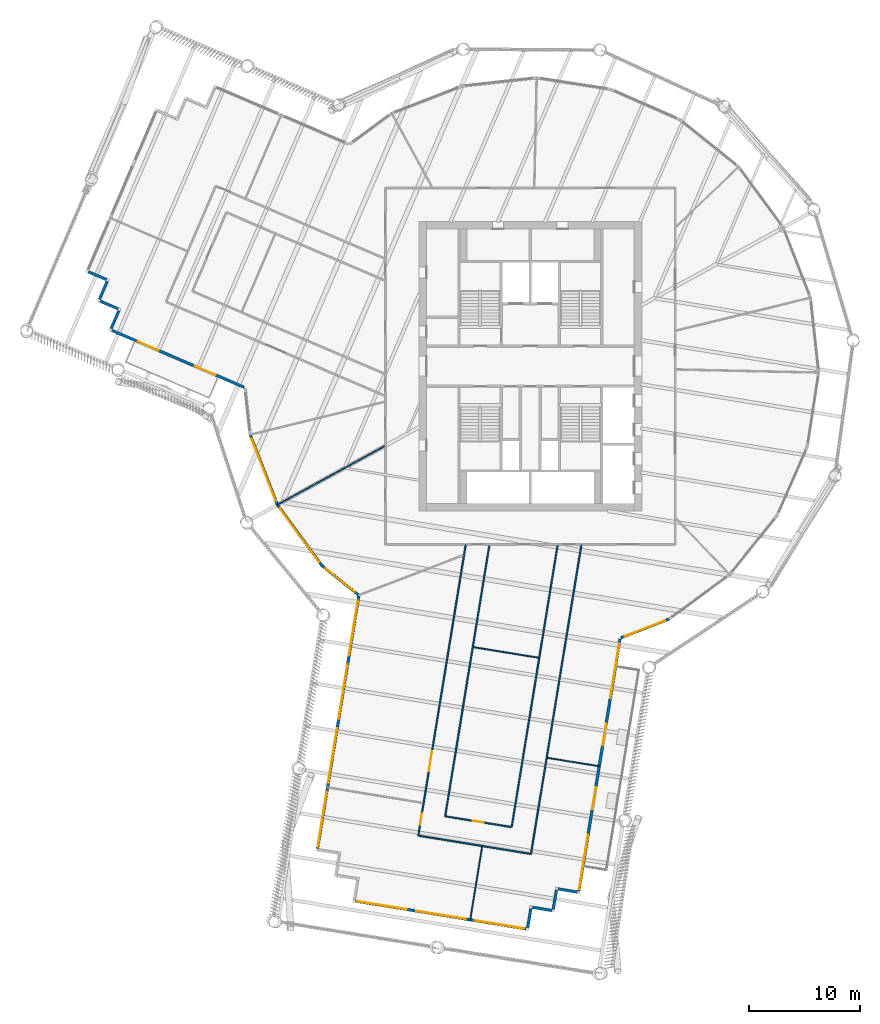
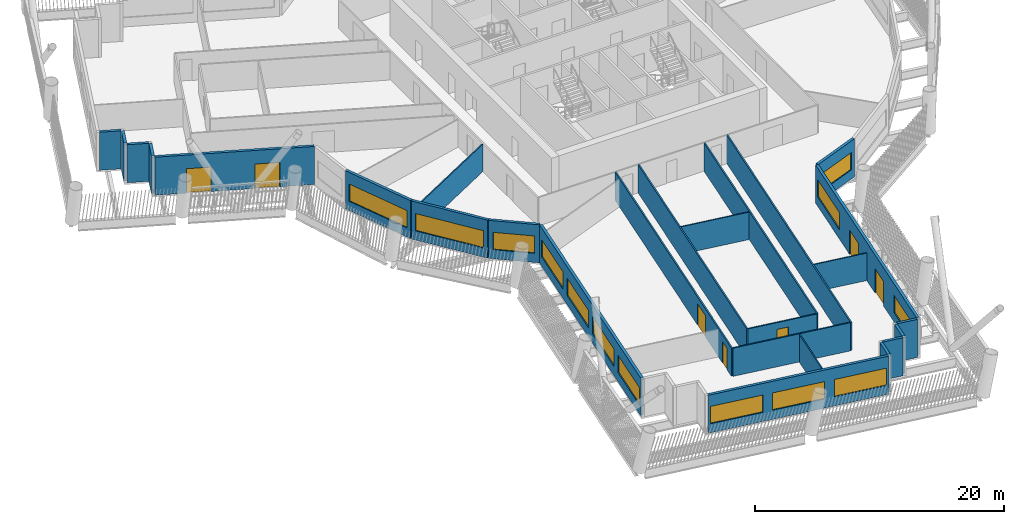
# One storey, part 3 of 22: 26 walls, 13 windows, 7 doors, 20 openings.
"""IFC4 building model written with IfcOpenShell, lengths in metres."""

import ifcopenshell
import ifcopenshell.guid

model = None  # the IFC model being written
_history = None  # IfcOwnerHistory: only IFC2X3 demands one
_inside = {}  # id of a spatial element -> (the spatial element, [elements in it])
_under = {}  # id of a project, library or spatial element -> (it, [spatial elements below it])
_declared = {}  # id of a project -> (the project, [libraries it declares])
_typed = {}  # id of a type object -> (the type object, [elements of that type])
_made_of = {}  # id of a material, layer set ... -> (it, [elements and type objects made of it])


def new_model(schema):
    """Start an empty IFC model of exactly this schema.

    Asked for "IFC4X3", IfcOpenShell would pick the latest addendum, in which some entities
    have other attributes; the version numbers below select the first issue.
    IFC2X3 requires an IfcOwnerHistory on every rooted entity: one is made here for all.
    """
    global model, _history
    if schema == "IFC4X3":
        model = ifcopenshell.file(schema_version=(4, 3, 0, 0))
    else:
        model = ifcopenshell.file(schema=schema)
    _inside.clear()
    _under.clear()
    _declared.clear()
    _typed.clear()
    _made_of.clear()
    _history = None
    if model.schema == "IFC2X3":
        org = make("IfcOrganization", Name="unknown")
        user = make(
            "IfcPersonAndOrganization",
            ThePerson=make("IfcPerson", FamilyName="unknown"),
            TheOrganization=org,
        )
        app = make(
            "IfcApplication",
            ApplicationDeveloper=org,
            Version="unknown",
            ApplicationFullName="unknown",
            ApplicationIdentifier="unknown",
        )
        _history = make(
            "IfcOwnerHistory",
            OwningUser=user,
            OwningApplication=app,
            ChangeAction="ADDED",
            CreationDate=0,
        )
    return model


def make(cls, **values):
    """One entity of the class cls with the attributes given. An attribute that is None is left unset."""
    return model.create_entity(
        cls, **{name: value for name, value in values.items() if value is not None}
    )


def rooted(cls, **values):
    """An entity with a GlobalId (a new one), such as an element, a storey or a relation."""
    return make(cls, GlobalId=ifcopenshell.guid.new(), OwnerHistory=_history, **values)


def si_unit(unit_type, name, prefix=None):
    """IfcSIUnit, for example si_unit("LENGTHUNIT", "METRE", prefix="MILLI")."""
    return make("IfcSIUnit", UnitType=unit_type, Prefix=prefix, Name=name)


def assignment(units):
    """IfcUnitAssignment: the units of a project."""
    return None if units is None else make("IfcUnitAssignment", Units=units)


def point(xyz):
    """IfcCartesianPoint."""
    return None if xyz is None else make("IfcCartesianPoint", Coordinates=xyz)


def direction(xyz):
    """IfcDirection."""
    return None if xyz is None else make("IfcDirection", DirectionRatios=xyz)


def frame(location, z_axis=None, x_axis=None):
    """IfcAxis2Placement3D, a coordinate frame: its origin and axes. An axis left out is left unset."""
    return make(
        "IfcAxis2Placement3D",
        Location=point(location),
        Axis=direction(z_axis),
        RefDirection=direction(x_axis),
    )


def frame_2d(location, x_axis=None):
    """IfcAxis2Placement2D, a coordinate frame in the plane: its origin and x axis."""
    return make(
        "IfcAxis2Placement2D", Location=point(location), RefDirection=direction(x_axis)
    )


def origin():
    """The frame at (0, 0, 0) with its axes left unset."""
    return frame((0.0, 0.0, 0.0))


def place(relative_to, where):
    """IfcLocalPlacement: puts the frame where relative to a parent placement (None: the world)."""
    return make(
        "IfcLocalPlacement", PlacementRelTo=relative_to, RelativePlacement=where
    )


def context(
    kind, dimensions, precision=None, world=None, true_north=None, identifier=None
):
    """IfcGeometricRepresentationContext, for example the 3D "Model" context."""
    return make(
        "IfcGeometricRepresentationContext",
        ContextIdentifier=identifier,
        ContextType=kind,
        CoordinateSpaceDimension=dimensions,
        Precision=precision,
        WorldCoordinateSystem=world,
        TrueNorth=true_north,
    )


def subcontext(parent, identifier, kind, view, scale=None):
    """IfcGeometricRepresentationSubContext, for example "Body" below "Model"."""
    return make(
        "IfcGeometricRepresentationSubContext",
        ContextIdentifier=identifier,
        ContextType=kind,
        ParentContext=parent,
        TargetScale=scale,
        TargetView=view,
    )


def project(units=None, contexts=None):
    """IfcProject with its units and contexts."""
    return rooted(
        "IfcProject",
        Name="project",
        RepresentationContexts=contexts,
        UnitsInContext=assignment(units),
    )


def spatial(cls, under=None, at=None, **own):
    """A site, building, storey or space (cls), placed at a placement, below another one or the project."""
    s = rooted(cls, ObjectPlacement=at, **own)
    if under is not None:
        _under.setdefault(under.id(), (under, []))[1].append(s)
    return s


def profile(cls, at=None, kind="AREA", **sizes):
    """A parametric profile (cls). Its sizes go by their IFC names, for example OverallWidth=200.0."""
    return make(cls, ProfileType=kind, Position=at, **sizes)


def rectangle(**sizes):
    """IfcRectangleProfileDef."""
    return profile("IfcRectangleProfileDef", **sizes)


def extrude(swept, where, along, depth):
    """IfcExtrudedAreaSolid: the profile swept, set in the frame where, extruded along a direction by depth."""
    return make(
        "IfcExtrudedAreaSolid",
        SweptArea=swept,
        Position=where,
        ExtrudedDirection=direction(along),
        Depth=depth,
    )


def shape(context_of_items, identifier, shape_type, items):
    """IfcShapeRepresentation: the items that make up one representation, for example the "Body"."""
    return make(
        "IfcShapeRepresentation",
        ContextOfItems=context_of_items,
        RepresentationIdentifier=identifier,
        RepresentationType=shape_type,
        Items=items,
    )


def material(Name=None, Category=None):
    """IfcMaterial."""
    return make("IfcMaterial", Name=Name, Category=Category)


def layer(
    of_material, thickness, ventilated=None, Name=None, Category=None, Priority=None
):
    """IfcMaterialLayer: one layer of a wall or slab, of a material (None: an air gap)."""
    return make(
        "IfcMaterialLayer",
        Material=of_material,
        LayerThickness=thickness,
        IsVentilated=ventilated,
        Name=Name,
        Category=Category,
        Priority=Priority,
    )


def layer_set(layers, Name=None):
    """IfcMaterialLayerSet."""
    return make("IfcMaterialLayerSet", MaterialLayers=layers, LayerSetName=Name)


def made_of(thing, what):
    """Note that an element or type object is made of a material, layer set ...; save() writes the relation."""
    if what is not None:
        _made_of.setdefault(what.id(), (what, []))[1].append(thing)
    return thing


def type_object(cls, material=None, **own):
    """A type object (cls), such as IfcWallType, which elements share."""
    return made_of(rooted(cls, **own), material)


def element(
    cls,
    number,
    at=None,
    inside=None,
    cuts=None,
    type_object=None,
    material=None,
    context=None,
    identifier="Body",
    shape_type=None,
    held_by="IfcProductDefinitionShape",
    body=None,
    shapes=None,
    **own,
):
    """One element of the class cls, such as IfcWall. Its Tag is "e" and its number.

    at: its placement. inside: the storey or other place that contains it. cuts: it is an
    opening in that element (IfcRelVoidsElement). A single representation is given by context,
    identifier, shape_type and body (its items); several are given by shapes. held_by: the class
    of the entity that holds the representations. save() writes the other relations.
    """
    e = rooted(cls, Tag="e%d" % number, ObjectPlacement=at, **own)
    if body is not None:
        shapes = [shape(context, identifier, shape_type, body)]
    if shapes is not None:
        e.Representation = make(held_by, Representations=shapes)
    if inside is not None:
        _inside.setdefault(inside.id(), (inside, []))[1].append(e)
    if cuts is not None:
        rooted(
            "IfcRelVoidsElement", RelatingBuildingElement=cuts, RelatedOpeningElement=e
        )
    if type_object is not None:
        _typed.setdefault(type_object.id(), (type_object, []))[1].append(e)
    return made_of(e, material)


def fill(opening, filler):
    """IfcRelFillsElement: the door or window that sits in an opening."""
    return rooted(
        "IfcRelFillsElement",
        RelatingOpeningElement=opening,
        RelatedBuildingElement=filler,
    )


def aggregate(whole, parts):
    """IfcRelAggregates: a whole, such as a stair, and the parts it consists of."""
    return rooted("IfcRelAggregates", RelatingObject=whole, RelatedObjects=parts)


def save(model, path):
    """Write the relations noted so far, then the file.

    IfcRelAggregates (storeys below a building ...), IfcRelContainedInSpatialStructure (elements
    in a storey), IfcRelDefinesByType, IfcRelAssociatesMaterial and IfcRelDeclares: one each for
    every whole, place, type object, material and project.
    """
    for whole, parts in _under.values():
        aggregate(whole, parts)
    for where, things in _inside.values():
        rooted(
            "IfcRelContainedInSpatialStructure",
            RelatedElements=things,
            RelatingStructure=where,
        )
    for kind, things in _typed.values():
        rooted("IfcRelDefinesByType", RelatedObjects=things, RelatingType=kind)
    for what, things in _made_of.values():
        rooted("IfcRelAssociatesMaterial", RelatedObjects=things, RelatingMaterial=what)
    for by, libraries in _declared.values():
        rooted("IfcRelDeclares", RelatingContext=by, RelatedDefinitions=libraries)
    model.write(path)


model = new_model("IFC4")

# Units and contexts
model_context = context("Model", 3, precision=1e-05, world=origin(), true_north=direction((0.0, 1.0)))
body_context = subcontext(model_context, "Body", "Model", "MODEL_VIEW")
ifc_project = project(units=[si_unit("LENGTHUNIT", "METRE"), si_unit("AREAUNIT", "SQUARE_METRE"), si_unit("VOLUMEUNIT", "CUBIC_METRE"), si_unit("PLANEANGLEUNIT", "RADIAN"), si_unit("MASSUNIT", "GRAM", prefix="KILO")], contexts=[model_context])

# Site, building, storey
site_placement = place(None, origin())
site = spatial("IfcSite", under=ifc_project, at=site_placement, CompositionType="ELEMENT")
building_placement = place(site_placement, origin())
building = spatial("IfcBuilding", under=site, at=building_placement, Name="Tarsis Ring Headquarters", CompositionType="ELEMENT")
storey_placement = place(building_placement, frame((0.0, 0.0, 186.60009765625)))
storey = spatial("IfcBuildingStorey", under=building, at=storey_placement, Name="L43", CompositionType="ELEMENT", Elevation=186.60009765625)

# Walls
ifc_material_1 = material(Name="Gypsum board on steel studs", Category="steel")
ifc_layer_1 = layer(ifc_material_1, 0.10009765625)
ifc_layer_set_1 = layer_set([ifc_layer_1], Name="FL partition 100 unrated")
wall_type_1 = type_object("IfcWallType", Name="FL partition 100 unrated", PredefinedType="PARTITIONING", material=ifc_layer_set_1)
wall_1_placement = place(storey_placement, frame((-22.751220703125, -12.476806640625, 0.0), z_axis=(0.0, 0.0, 1.0), x_axis=(0.876803077894, 0.480849625761, 0.0)))
element("IfcWall", 1, at=wall_1_placement, inside=storey, type_object=wall_type_1, Name="Partition PW3", PredefinedType="PARTITIONING", context=body_context, shape_type="SweptSolid", body=[
    extrude(rectangle(XDim=11.031494140625, YDim=0.10009765625, at=frame_2d((5.515625, 0.0))), origin(), (0.0, 0.0, 1.0), 2.699951171875),
])
wall_2_placement = place(storey_placement, frame((-5.402587890625, -49.728759765625, 0.0), z_axis=(0.0, 0.0, 1.0), x_axis=(0.160928658882, 0.986966041336, 0.0)))
element("IfcWall", 2, at=wall_2_placement, inside=storey, type_object=wall_type_1, Name="Partition PW3", PredefinedType="PARTITIONING", context=body_context, shape_type="SweptSolid", body=[
    extrude(rectangle(XDim=6.7099609375, YDim=0.10009765625, at=frame_2d((3.35498046875, 0.0))), origin(), (0.0, 0.0, 1.0), 2.699951171875),
])
wall_3_placement = place(storey_placement, frame((-5.09130859375, -25.19921875, 0.0), z_axis=(0.0, 0.0, 1.0), x_axis=(0.986973674213, -0.160881839902, 0.0)))
element("IfcWall", 3, at=wall_3_placement, inside=storey, type_object=wall_type_1, Name="Partition PW3", PredefinedType="PARTITIONING", context=body_context, shape_type="SweptSolid", body=[
    extrude(rectangle(XDim=5.900146484375, YDim=0.10009765625, at=frame_2d((2.9501953125, 0.0))), origin(), (0.0, 0.0, 1.0), 2.699951171875),
])
wall_4_placement = place(storey_placement, frame((1.537841796875, -35.125244140625, 0.0), z_axis=(0.0, 0.0, 1.0), x_axis=(0.986972964256, -0.16088619527, 0.0)))
element("IfcWall", 4, at=wall_4_placement, inside=storey, type_object=wall_type_1, Name="Partition PW3", PredefinedType="PARTITIONING", context=body_context, shape_type="SweptSolid", body=[
    extrude(rectangle(XDim=4.780029296875, YDim=0.10009765625, at=frame_2d((2.39013671875, 0.0))), origin(), (0.0, 0.0, 1.0), 2.699951171875),
])
ifc_layer_2 = layer(ifc_material_1, 0.125)
ifc_layer_set_2 = layer_set([ifc_layer_2], Name="FL partition 125 EI 60 H2770")
wall_type_2 = type_object("IfcWallType", Name="FL partition 125 EI 60 H2770", PredefinedType="PARTITIONING", material=ifc_layer_set_2)
wall_5_placement = place(storey_placement, frame((0.060791015625, -43.75, 0.0), z_axis=(0.0, 0.0, 1.0), x_axis=(0.16091717156, 0.98696791432, 0.0)))
element("IfcWall", 5, at=wall_5_placement, inside=storey, type_object=wall_type_2, Name="Partition PW1", PredefinedType="PARTITIONING", context=body_context, shape_type="SweptSolid", body=[
    extrude(rectangle(XDim=28.116455078125, YDim=0.125, at=frame_2d((14.05810546875, 0.0))), origin(), (0.0, 0.0, 1.0), 2.77001953125),
])

# Wall, openings, doors
wall_6_placement = place(storey_placement, frame((-10.0458984375, -42.10205078125, 0.0), z_axis=(0.0, 0.0, 1.0), x_axis=(0.160921965843, 0.986967132639, 0.0)))
wall_6 = element("IfcWall", 6, at=wall_6_placement, inside=storey, type_object=wall_type_2, Name="Partition PW1", PredefinedType="PARTITIONING", context=body_context, shape_type="SweptSolid", body=[
    extrude(rectangle(XDim=26.44677734375, YDim=0.125, at=frame_2d((13.223388671875, 0.0))), origin(), (0.0, 0.0, 1.0), 2.77001953125),
])
opening_1_placement = place(wall_6_placement, frame((0.9814453125, 0.0, 0.0)))
opening_1 = element("IfcOpeningElement", 7, at=opening_1_placement, cuts=wall_6, Name="Opening D43.10", PredefinedType="OPENING", context=body_context, shape_type="SweptSolid", body=[
    extrude(rectangle(XDim=1.0, YDim=2.10009765625, at=frame_2d((0.5, 1.050048828125))), frame((0.0, 0.072509765625, 0.0), z_axis=(0.0, -1.0, 0.0), x_axis=(1.0, 0.0, 0.0)), (0.0, 0.0, 1.0), 0.14501953125),
])
opening_2_placement = place(wall_6_placement, frame((5.862060546875, 0.0, 0.0)))
opening_2 = element("IfcOpeningElement", 8, at=opening_2_placement, cuts=wall_6, Name="Opening D43.11", PredefinedType="OPENING", context=body_context, shape_type="SweptSolid", body=[
    extrude(rectangle(XDim=1.800048828125, YDim=2.10009765625, at=frame_2d((0.89990234375, 1.050048828125))), frame((0.0, 0.072509765625, 0.0), z_axis=(0.0, -1.0, 0.0), x_axis=(1.0, 0.0, 0.0)), (0.0, 0.0, 1.0), 0.14501953125),
])
ifc_material_2 = material(Name="Fire-rated timber door leaf in steel frame", Category="steel")
door_type_1 = type_object("IfcDoorType", Name="FL door FD60-1000", OperationType="NOTDEFINED", PredefinedType="DOOR", material=ifc_material_2)
door_1_placement = place(opening_1_placement, origin())
door_1 = element("IfcDoor", 9, at=door_1_placement, inside=storey, type_object=door_type_1, Name="Door D43.10", OperationType="SINGLE_SWING_LEFT", OverallHeight=2.10009765625, OverallWidth=1.0, PredefinedType="DOOR", context=body_context, shape_type="SweptSolid", body=[
    extrude(rectangle(XDim=1.0, YDim=2.10009765625, at=frame_2d((0.5, 1.050048828125))), frame((0.0, 0.02490234375, 0.0), z_axis=(0.0, -1.0, 0.0), x_axis=(1.0, 0.0, 0.0)), (0.0, 0.0, 1.0), 0.050048828125),
])
fill(opening_1, door_1)
door_type_2 = type_object("IfcDoorType", Name="FL door FD60-1800", OperationType="DOUBLE_DOOR_SINGLE_SWING", PredefinedType="DOOR", material=ifc_material_2)
door_2_placement = place(opening_2_placement, origin())
door_2 = element("IfcDoor", 10, at=door_2_placement, inside=storey, type_object=door_type_2, Name="Door D43.11", OperationType="DOUBLE_DOOR_SINGLE_SWING", OverallHeight=2.10009765625, OverallWidth=1.800048828125, PredefinedType="DOOR", context=body_context, shape_type="SweptSolid", body=[
    extrude(rectangle(XDim=1.800048828125, YDim=2.10009765625, at=frame_2d((0.89990234375, 1.050048828125))), frame((0.0, 0.02490234375, 0.0), z_axis=(0.0, -1.0, 0.0), x_axis=(1.0, 0.0, 0.0)), (0.0, 0.0, 1.0), 0.050048828125),
])
fill(opening_2, door_2)

# Walls
wall_7_placement = place(storey_placement, frame((-1.673828125, -41.33935546875, 0.0), z_axis=(0.0, 0.0, 1.0), x_axis=(0.160908041704, 0.986969402826, 0.0)))
element("IfcWall", 11, at=wall_7_placement, inside=storey, type_object=wall_type_2, Name="Partition PW1", PredefinedType="PARTITIONING", context=body_context, shape_type="SweptSolid", body=[
    extrude(rectangle(XDim=25.60400390625, YDim=0.125, at=frame_2d((12.802001953125, 0.0))), origin(), (0.0, 0.0, 1.0), 2.77001953125),
])
wall_8_placement = place(storey_placement, frame((-7.63525390625, -40.367431640625, 0.0), z_axis=(0.0, 0.0, 1.0), x_axis=(0.160918012585, 0.986967777197, 0.0)))
element("IfcWall", 12, at=wall_8_placement, inside=storey, type_object=wall_type_2, Name="Partition PW1", PredefinedType="PARTITIONING", context=body_context, shape_type="SweptSolid", body=[
    extrude(rectangle(XDim=24.619140625, YDim=0.125, at=frame_2d((12.3095703125, 0.0))), origin(), (0.0, 0.0, 1.0), 2.77001953125),
])
wall_9_placement = place(storey_placement, frame((-9.986572265625, -42.11181640625, 0.0), z_axis=(0.0, 0.0, 1.0), x_axis=(0.986969340273, -0.160908425392, 0.0)))
element("IfcWall", 13, at=wall_9_placement, inside=storey, type_object=wall_type_2, Name="Partition PW1", PredefinedType="PARTITIONING", context=body_context, shape_type="SweptSolid", body=[
    extrude(rectangle(XDim=10.1201171875, YDim=0.125, at=frame_2d((5.06005859375, 0.0))), origin(), (0.0, 0.0, 1.0), 2.77001953125),
])

# Wall, opening, door
wall_10_placement = place(storey_placement, frame((-7.575927734375, -40.377197265625, 0.0), z_axis=(0.0, 0.0, 1.0), x_axis=(0.986973938874, -0.160880216261, 0.0)))
wall_10 = element("IfcWall", 14, at=wall_10_placement, inside=storey, type_object=wall_type_2, Name="Partition PW1", PredefinedType="PARTITIONING", context=body_context, shape_type="SweptSolid", body=[
    extrude(rectangle(XDim=5.919921875, YDim=0.125, at=frame_2d((2.9599609375, 0.0))), origin(), (0.0, 0.0, 1.0), 2.77001953125),
])
opening_3_placement = place(wall_10_placement, frame((2.4599609375, 0.0, 0.0)))
opening_3 = element("IfcOpeningElement", 15, at=opening_3_placement, cuts=wall_10, Name="Opening D43.17", PredefinedType="OPENING", context=body_context, shape_type="SweptSolid", body=[
    extrude(rectangle(XDim=1.0, YDim=2.10009765625, at=frame_2d((0.5, 1.050048828125))), frame((0.0, 0.072509765625, 0.0), z_axis=(0.0, -1.0, 0.0), x_axis=(1.0, 0.0, 0.0)), (0.0, 0.0, 1.0), 0.14501953125),
])
door_3_placement = place(opening_3_placement, origin())
door_3 = element("IfcDoor", 16, at=door_3_placement, inside=storey, type_object=door_type_1, Name="Door D43.17", OperationType="SINGLE_SWING_RIGHT", OverallHeight=2.10009765625, OverallWidth=1.0, PredefinedType="DOOR", context=body_context, shape_type="SweptSolid", body=[
    extrude(rectangle(XDim=1.0, YDim=2.10009765625, at=frame_2d((0.5, 1.050048828125))), frame((0.0, 0.02490234375, 0.0), z_axis=(0.0, -1.0, 0.0), x_axis=(1.0, 0.0, 0.0)), (0.0, 0.0, 1.0), 0.050048828125),
])
fill(opening_3, door_3)

# Wall, openings, doors
ifc_material_3 = material(Name="Terracotta clad insulated panel wall", Category="masonry")
ifc_layer_3 = layer(ifc_material_3, 0.25)
ifc_layer_set_3 = layer_set([ifc_layer_3], Name="Facade wall terracotta panel 250")
wall_type_3 = type_object("IfcWallType", Name="Facade wall terracotta panel 250", PredefinedType="STANDARD", material=ifc_layer_set_3)
wall_11_placement = place(storey_placement, frame((-37.53369140625, 3.2080078125, 0.0), z_axis=(0.0, 0.0, 1.0), x_axis=(0.918718409906, -0.394913260475, 0.0)))
wall_11 = element("IfcWall", 17, at=wall_11_placement, inside=storey, type_object=wall_type_3, Name="External wall L43-01", PredefinedType="STANDARD", context=body_context, shape_type="SweptSolid", body=[
    extrude(rectangle(XDim=12.921875, YDim=0.25, at=frame_2d((6.4609375, 0.0))), origin(), (0.0, 0.0, 1.0), 3.739990234375),
])
opening_4_placement = place(wall_11_placement, frame((2.550048828125, 0.0, 0.0)))
opening_4 = element("IfcOpeningElement", 18, at=opening_4_placement, cuts=wall_11, Name="Opening L43-BD01", PredefinedType="OPENING", context=body_context, shape_type="SweptSolid", body=[
    extrude(rectangle(XDim=2.0, YDim=2.39990234375, at=frame_2d((1.0, 1.199951171875))), frame((0.0, 0.135009765625, 0.0), z_axis=(0.0, -1.0, 0.0), x_axis=(1.0, 0.0, 0.0)), (0.0, 0.0, 1.0), 0.27001953125),
])
opening_5_placement = place(wall_11_placement, frame((8.1220703125, 0.0, 0.0)))
opening_5 = element("IfcOpeningElement", 19, at=opening_5_placement, cuts=wall_11, Name="Opening L43-BD02", PredefinedType="OPENING", context=body_context, shape_type="SweptSolid", body=[
    extrude(rectangle(XDim=2.0, YDim=2.39990234375, at=frame_2d((1.0, 1.199951171875))), frame((0.0, 0.135009765625, 0.0), z_axis=(0.0, -1.0, 0.0), x_axis=(1.0, 0.0, 0.0)), (0.0, 0.0, 1.0), 0.27001953125),
])
ifc_material_4 = material(Name="Aluminium framed double glazing", Category="aluminium")
door_type_3 = type_object("IfcDoorType", Name="Balcony sliding door 2000 x 2400", OperationType="SLIDING_TO_LEFT", PredefinedType="DOOR", material=ifc_material_4)
door_4_placement = place(opening_4_placement, origin())
door_4 = element("IfcDoor", 20, at=door_4_placement, inside=storey, type_object=door_type_3, Name="Door L43-BD01", OperationType="SINGLE_SWING_LEFT", OverallHeight=2.39990234375, OverallWidth=2.0, PredefinedType="DOOR", context=body_context, shape_type="SweptSolid", body=[
    extrude(rectangle(XDim=2.0, YDim=2.39990234375, at=frame_2d((1.0, 1.199951171875))), frame((0.0, 0.02490234375, 0.0), z_axis=(0.0, -1.0, 0.0), x_axis=(1.0, 0.0, 0.0)), (0.0, 0.0, 1.0), 0.050048828125),
])
fill(opening_4, door_4)
door_5_placement = place(opening_5_placement, origin())
door_5 = element("IfcDoor", 21, at=door_5_placement, inside=storey, type_object=door_type_3, Name="Door L43-BD02", OperationType="SINGLE_SWING_LEFT", OverallHeight=2.39990234375, OverallWidth=2.0, PredefinedType="DOOR", context=body_context, shape_type="SweptSolid", body=[
    extrude(rectangle(XDim=2.0, YDim=2.39990234375, at=frame_2d((1.0, 1.199951171875))), frame((0.0, 0.02490234375, 0.0), z_axis=(0.0, -1.0, 0.0), x_axis=(1.0, 0.0, 0.0)), (0.0, 0.0, 1.0), 0.050048828125),
])
fill(opening_5, door_5)

# Wall, opening, window
wall_12_placement = place(storey_placement, frame((-25.12744140625, -6.160888671875, 0.0), z_axis=(0.0, 0.0, 1.0), x_axis=(0.362279737074, -0.932069413781, 0.0)))
wall_12 = element("IfcWall", 22, at=wall_12_placement, inside=storey, type_object=wall_type_3, Name="External wall L43-03", PredefinedType="STANDARD", context=body_context, shape_type="SweptSolid", body=[
    extrude(rectangle(XDim=6.721435546875, YDim=0.25, at=frame_2d((3.36083984375, 0.0))), origin(), (0.0, 0.0, 1.0), 3.739990234375),
])
opening_6_placement = place(wall_12_placement, frame((0.3857421875, 0.0, 0.89990234375)))
opening_6 = element("IfcOpeningElement", 23, at=opening_6_placement, cuts=wall_12, Name="Opening WN07", PredefinedType="OPENING", context=body_context, shape_type="SweptSolid", body=[
    extrude(rectangle(XDim=5.949951171875, YDim=1.699951171875, at=frame_2d((2.97509765625, 0.85009765625))), frame((0.0, 0.135009765625, 0.0), z_axis=(0.0, -1.0, 0.0), x_axis=(1.0, 0.0, 0.0)), (0.0, 0.0, 1.0), 0.27001953125),
])
window_type_1 = type_object("IfcWindowType", Name="Facade window 5950 x 1700", PartitioningType="SINGLE_PANEL", PredefinedType="WINDOW", material=ifc_material_4)
window_1_placement = place(opening_6_placement, origin())
window_1 = element("IfcWindow", 24, at=window_1_placement, inside=storey, type_object=window_type_1, Name="Window L43-03.1", OverallHeight=1.699951171875, OverallWidth=5.949951171875, PartitioningType="SINGLE_PANEL", PredefinedType="WINDOW", context=body_context, shape_type="SweptSolid", body=[
    extrude(rectangle(XDim=5.949951171875, YDim=1.699951171875, at=frame_2d((2.97509765625, 0.85009765625))), frame((0.0, 0.030029296875, 0.0), z_axis=(0.0, -1.0, 0.0), x_axis=(1.0, 0.0, 0.0)), (0.0, 0.0, 1.0), 0.06005859375),
])
fill(opening_6, window_1)

wall_13_placement = place(storey_placement, frame((-22.6767578125, -12.454345703125, 0.0), z_axis=(0.0, 0.0, 1.0), x_axis=(0.591165243331, -0.806550466541, 0.0)))
wall_13 = element("IfcWall", 25, at=wall_13_placement, inside=storey, type_object=wall_type_3, Name="External wall L43-04", PredefinedType="STANDARD", context=body_context, shape_type="SweptSolid", body=[
    extrude(rectangle(XDim=6.7216796875, YDim=0.25, at=frame_2d((3.36083984375, 0.0))), origin(), (0.0, 0.0, 1.0), 3.739990234375),
])
opening_7_placement = place(wall_13_placement, frame((0.3857421875, 0.0, 0.89990234375)))
opening_7 = element("IfcOpeningElement", 26, at=opening_7_placement, cuts=wall_13, Name="Opening WN07", PredefinedType="OPENING", context=body_context, shape_type="SweptSolid", body=[
    extrude(rectangle(XDim=5.949951171875, YDim=1.699951171875, at=frame_2d((2.97509765625, 0.85009765625))), frame((0.0, 0.135009765625, 0.0), z_axis=(0.0, -1.0, 0.0), x_axis=(1.0, 0.0, 0.0)), (0.0, 0.0, 1.0), 0.27001953125),
])
window_2_placement = place(opening_7_placement, origin())
window_2 = element("IfcWindow", 27, at=window_2_placement, inside=storey, type_object=window_type_1, Name="Window L43-04.1", OverallHeight=1.699951171875, OverallWidth=5.949951171875, PartitioningType="SINGLE_PANEL", PredefinedType="WINDOW", context=body_context, shape_type="SweptSolid", body=[
    extrude(rectangle(XDim=5.949951171875, YDim=1.699951171875, at=frame_2d((2.97509765625, 0.85009765625))), frame((0.0, 0.030029296875, 0.0), z_axis=(0.0, -1.0, 0.0), x_axis=(1.0, 0.0, 0.0)), (0.0, 0.0, 1.0), 0.06005859375),
])
fill(opening_7, window_2)

wall_14_placement = place(storey_placement, frame((-18.6806640625, -17.899169921875, 0.0), z_axis=(0.0, 0.0, 1.0), x_axis=(0.779784838643, -0.626047606354, 0.0)))
wall_14 = element("IfcWall", 28, at=wall_14_placement, inside=storey, type_object=wall_type_3, Name="External wall L43-05", PredefinedType="STANDARD", context=body_context, shape_type="SweptSolid", body=[
    extrude(rectangle(XDim=4.157470703125, YDim=0.25, at=frame_2d((2.07861328125, 0.0))), origin(), (0.0, 0.0, 1.0), 3.739990234375),
])
opening_8_placement = place(wall_14_placement, frame((0.38720703125, 0.0, 0.89990234375)))
opening_8 = element("IfcOpeningElement", 29, at=opening_8_placement, cuts=wall_14, Name="Opening WN01", PredefinedType="OPENING", context=body_context, shape_type="SweptSolid", body=[
    extrude(rectangle(XDim=3.35009765625, YDim=1.699951171875, at=frame_2d((1.675048828125, 0.85009765625))), frame((0.0, 0.135009765625, 0.0), z_axis=(0.0, -1.0, 0.0), x_axis=(1.0, 0.0, 0.0)), (0.0, 0.0, 1.0), 0.27001953125),
])
window_type_2 = type_object("IfcWindowType", Name="Facade window 3350 x 1700", PartitioningType="SINGLE_PANEL", PredefinedType="WINDOW", material=ifc_material_4)
window_3_placement = place(opening_8_placement, origin())
window_3 = element("IfcWindow", 30, at=window_3_placement, inside=storey, type_object=window_type_2, Name="Window L43-05.1", OverallHeight=1.699951171875, OverallWidth=3.35009765625, PartitioningType="SINGLE_PANEL", PredefinedType="WINDOW", context=body_context, shape_type="SweptSolid", body=[
    extrude(rectangle(XDim=3.35009765625, YDim=1.699951171875, at=frame_2d((1.675048828125, 0.85009765625))), frame((0.0, 0.030029296875, 0.0), z_axis=(0.0, -1.0, 0.0), x_axis=(1.0, 0.0, 0.0)), (0.0, 0.0, 1.0), 0.06005859375),
])
fill(opening_8, window_3)

# Wall, openings, windows
wall_15_placement = place(storey_placement, frame((-15.3935546875, -20.61962890625, 0.0), z_axis=(0.0, 0.0, 1.0), x_axis=(-0.160914244426, -0.986968391561, 0.0)))
wall_15 = element("IfcWall", 31, at=wall_15_placement, inside=storey, type_object=wall_type_3, Name="External wall L43-06", PredefinedType="STANDARD", context=body_context, shape_type="SweptSolid", body=[
    extrude(rectangle(XDim=22.922119140625, YDim=0.25, at=frame_2d((11.4609375, 0.0))), origin(), (0.0, 0.0, 1.0), 3.739990234375),
])
opening_9_placement = place(wall_15_placement, frame((0.42138671875, 0.0, 0.89990234375)))
opening_9 = element("IfcOpeningElement", 32, at=opening_9_placement, cuts=wall_15, Name="Opening WN05", PredefinedType="OPENING", context=body_context, shape_type="SweptSolid", body=[
    extrude(rectangle(XDim=4.949951171875, YDim=1.699951171875, at=frame_2d((2.47509765625, 0.85009765625))), frame((0.0, 0.135009765625, 0.0), z_axis=(0.0, -1.0, 0.0), x_axis=(1.0, 0.0, 0.0)), (0.0, 0.0, 1.0), 0.27001953125),
])
opening_10_placement = place(wall_15_placement, frame((6.214599609375, 0.0, 0.89990234375)))
opening_10 = element("IfcOpeningElement", 33, at=opening_10_placement, cuts=wall_15, Name="Opening WN05", PredefinedType="OPENING", context=body_context, shape_type="SweptSolid", body=[
    extrude(rectangle(XDim=4.949951171875, YDim=1.699951171875, at=frame_2d((2.47509765625, 0.85009765625))), frame((0.0, 0.135009765625, 0.0), z_axis=(0.0, -1.0, 0.0), x_axis=(1.0, 0.0, 0.0)), (0.0, 0.0, 1.0), 0.27001953125),
])
opening_11_placement = place(wall_15_placement, frame((12.007568359375, 0.0, 0.89990234375)))
opening_11 = element("IfcOpeningElement", 34, at=opening_11_placement, cuts=wall_15, Name="Opening WN05", PredefinedType="OPENING", context=body_context, shape_type="SweptSolid", body=[
    extrude(rectangle(XDim=4.949951171875, YDim=1.699951171875, at=frame_2d((2.47509765625, 0.85009765625))), frame((0.0, 0.135009765625, 0.0), z_axis=(0.0, -1.0, 0.0), x_axis=(1.0, 0.0, 0.0)), (0.0, 0.0, 1.0), 0.27001953125),
])
opening_12_placement = place(wall_15_placement, frame((17.800537109375, 0.0, 0.89990234375)))
opening_12 = element("IfcOpeningElement", 35, at=opening_12_placement, cuts=wall_15, Name="Opening WN05", PredefinedType="OPENING", context=body_context, shape_type="SweptSolid", body=[
    extrude(rectangle(XDim=4.949951171875, YDim=1.699951171875, at=frame_2d((2.47509765625, 0.85009765625))), frame((0.0, 0.135009765625, 0.0), z_axis=(0.0, -1.0, 0.0), x_axis=(1.0, 0.0, 0.0)), (0.0, 0.0, 1.0), 0.27001953125),
])
window_type_3 = type_object("IfcWindowType", Name="Facade window 4950 x 1700", PartitioningType="SINGLE_PANEL", PredefinedType="WINDOW", material=ifc_material_4)
window_4_placement = place(opening_9_placement, origin())
window_4 = element("IfcWindow", 36, at=window_4_placement, inside=storey, type_object=window_type_3, Name="Window L43-06.1", OverallHeight=1.699951171875, OverallWidth=4.949951171875, PartitioningType="SINGLE_PANEL", PredefinedType="WINDOW", context=body_context, shape_type="SweptSolid", body=[
    extrude(rectangle(XDim=4.949951171875, YDim=1.699951171875, at=frame_2d((2.47509765625, 0.85009765625))), frame((0.0, 0.030029296875, 0.0), z_axis=(0.0, -1.0, 0.0), x_axis=(1.0, 0.0, 0.0)), (0.0, 0.0, 1.0), 0.06005859375),
])
fill(opening_9, window_4)
window_5_placement = place(opening_10_placement, origin())
window_5 = element("IfcWindow", 37, at=window_5_placement, inside=storey, type_object=window_type_3, Name="Window L43-06.2", OverallHeight=1.699951171875, OverallWidth=4.949951171875, PartitioningType="SINGLE_PANEL", PredefinedType="WINDOW", context=body_context, shape_type="SweptSolid", body=[
    extrude(rectangle(XDim=4.949951171875, YDim=1.699951171875, at=frame_2d((2.47509765625, 0.85009765625))), frame((0.0, 0.030029296875, 0.0), z_axis=(0.0, -1.0, 0.0), x_axis=(1.0, 0.0, 0.0)), (0.0, 0.0, 1.0), 0.06005859375),
])
fill(opening_10, window_5)
window_6_placement = place(opening_11_placement, origin())
window_6 = element("IfcWindow", 38, at=window_6_placement, inside=storey, type_object=window_type_3, Name="Window L43-06.3", OverallHeight=1.699951171875, OverallWidth=4.949951171875, PartitioningType="SINGLE_PANEL", PredefinedType="WINDOW", context=body_context, shape_type="SweptSolid", body=[
    extrude(rectangle(XDim=4.949951171875, YDim=1.699951171875, at=frame_2d((2.47509765625, 0.85009765625))), frame((0.0, 0.030029296875, 0.0), z_axis=(0.0, -1.0, 0.0), x_axis=(1.0, 0.0, 0.0)), (0.0, 0.0, 1.0), 0.06005859375),
])
fill(opening_11, window_6)
window_7_placement = place(opening_12_placement, origin())
window_7 = element("IfcWindow", 39, at=window_7_placement, inside=storey, type_object=window_type_3, Name="Window L43-06.4", OverallHeight=1.699951171875, OverallWidth=4.949951171875, PartitioningType="SINGLE_PANEL", PredefinedType="WINDOW", context=body_context, shape_type="SweptSolid", body=[
    extrude(rectangle(XDim=4.949951171875, YDim=1.699951171875, at=frame_2d((2.47509765625, 0.85009765625))), frame((0.0, 0.030029296875, 0.0), z_axis=(0.0, -1.0, 0.0), x_axis=(1.0, 0.0, 0.0)), (0.0, 0.0, 1.0), 0.06005859375),
])
fill(opening_12, window_7)

wall_16_placement = place(storey_placement, frame((-15.674560546875, -47.97802734375, 0.0), z_axis=(0.0, 0.0, 1.0), x_axis=(0.986968435834, -0.160913972877, 0.0)))
wall_16 = element("IfcWall", 40, at=wall_16_placement, inside=storey, type_object=wall_type_3, Name="External wall L43-11", PredefinedType="STANDARD", context=body_context, shape_type="SweptSolid", body=[
    extrude(rectangle(XDim=15.499755859375, YDim=0.25, at=frame_2d((7.75, 0.0))), origin(), (0.0, 0.0, 1.0), 3.739990234375),
])
opening_13_placement = place(wall_16_placement, frame((0.166748046875, 0.0, 0.89990234375)))
opening_13 = element("IfcOpeningElement", 41, at=opening_13_placement, cuts=wall_16, Name="Opening WN04", PredefinedType="OPENING", context=body_context, shape_type="SweptSolid", body=[
    extrude(rectangle(XDim=4.5, YDim=1.699951171875, at=frame_2d((2.25, 0.85009765625))), frame((0.0, 0.135009765625, 0.0), z_axis=(0.0, -1.0, 0.0), x_axis=(1.0, 0.0, 0.0)), (0.0, 0.0, 1.0), 0.27001953125),
])
opening_14_placement = place(wall_16_placement, frame((5.5, 0.0, 0.89990234375)))
opening_14 = element("IfcOpeningElement", 42, at=opening_14_placement, cuts=wall_16, Name="Opening WN04", PredefinedType="OPENING", context=body_context, shape_type="SweptSolid", body=[
    extrude(rectangle(XDim=4.5, YDim=1.699951171875, at=frame_2d((2.25, 0.85009765625))), frame((0.0, 0.135009765625, 0.0), z_axis=(0.0, -1.0, 0.0), x_axis=(1.0, 0.0, 0.0)), (0.0, 0.0, 1.0), 0.27001953125),
])
opening_15_placement = place(wall_16_placement, frame((10.833251953125, 0.0, 0.89990234375)))
opening_15 = element("IfcOpeningElement", 43, at=opening_15_placement, cuts=wall_16, Name="Opening WN04", PredefinedType="OPENING", context=body_context, shape_type="SweptSolid", body=[
    extrude(rectangle(XDim=4.5, YDim=1.699951171875, at=frame_2d((2.25, 0.85009765625))), frame((0.0, 0.135009765625, 0.0), z_axis=(0.0, -1.0, 0.0), x_axis=(1.0, 0.0, 0.0)), (0.0, 0.0, 1.0), 0.27001953125),
])
window_type_4 = type_object("IfcWindowType", Name="Facade window 4500 x 1700", PartitioningType="SINGLE_PANEL", PredefinedType="WINDOW", material=ifc_material_4)
window_8_placement = place(opening_13_placement, origin())
window_8 = element("IfcWindow", 44, at=window_8_placement, inside=storey, type_object=window_type_4, Name="Window L43-11.1", OverallHeight=1.699951171875, OverallWidth=4.5, PartitioningType="SINGLE_PANEL", PredefinedType="WINDOW", context=body_context, shape_type="SweptSolid", body=[
    extrude(rectangle(XDim=4.5, YDim=1.699951171875, at=frame_2d((2.25, 0.85009765625))), frame((0.0, 0.030029296875, 0.0), z_axis=(0.0, -1.0, 0.0), x_axis=(1.0, 0.0, 0.0)), (0.0, 0.0, 1.0), 0.06005859375),
])
fill(opening_13, window_8)
window_9_placement = place(opening_14_placement, origin())
window_9 = element("IfcWindow", 45, at=window_9_placement, inside=storey, type_object=window_type_4, Name="Window L43-11.2", OverallHeight=1.699951171875, OverallWidth=4.5, PartitioningType="SINGLE_PANEL", PredefinedType="WINDOW", context=body_context, shape_type="SweptSolid", body=[
    extrude(rectangle(XDim=4.5, YDim=1.699951171875, at=frame_2d((2.25, 0.85009765625))), frame((0.0, 0.030029296875, 0.0), z_axis=(0.0, -1.0, 0.0), x_axis=(1.0, 0.0, 0.0)), (0.0, 0.0, 1.0), 0.06005859375),
])
fill(opening_14, window_9)
window_10_placement = place(opening_15_placement, origin())
window_10 = element("IfcWindow", 46, at=window_10_placement, inside=storey, type_object=window_type_4, Name="Window L43-11.3", OverallHeight=1.699951171875, OverallWidth=4.5, PartitioningType="SINGLE_PANEL", PredefinedType="WINDOW", context=body_context, shape_type="SweptSolid", body=[
    extrude(rectangle(XDim=4.5, YDim=1.699951171875, at=frame_2d((2.25, 0.85009765625))), frame((0.0, 0.030029296875, 0.0), z_axis=(0.0, -1.0, 0.0), x_axis=(1.0, 0.0, 0.0)), (0.0, 0.0, 1.0), 0.06005859375),
])
fill(opening_15, window_10)

# Walls
for number, where, z_axis, x_axis, name in (
    (47, (-0.233154296875, -50.368896484375, 0.0), (0.0, 0.0, 1.0), (0.160982154629, 0.986957317158, 0.0), "External wall L43-12"),
    (48, (0.19189453125, -48.538330078125, 0.0), (0.0, 0.0, 1.0), (0.986957317158, -0.160982154629, 0.0), "External wall L43-13"),
    (49, (2.062744140625, -48.716796875, 0.0), (0.0, 0.0, 1.0), (0.160846265944, 0.986979472295, 0.0), "External wall L43-14"),
    (50, (2.48779296875, -46.88623046875, 0.0), (0.0, 0.0, 1.0), (0.986953701252, -0.161004321635, 0.0), "External wall L43-15"),
):
    element("IfcWall", number, at=place(storey_placement, frame(where, z_axis=z_axis, x_axis=x_axis)), inside=storey, type_object=wall_type_3, Name=name, PredefinedType="STANDARD", context=body_context, shape_type="SweptSolid", body=[
        extrude(rectangle(XDim=1.75, YDim=0.25, at=frame_2d((0.875, 0.0))), origin(), (0.0, 0.0, 1.0), 3.739990234375),
    ])

# Wall, openings, doors, windows
wall_17_placement = place(storey_placement, frame((4.3583984375, -47.064697265625, 0.0), z_axis=(0.0, 0.0, 1.0), x_axis=(0.160911079916, 0.986968907494, 0.0)))
wall_17 = element("IfcWall", 51, at=wall_17_placement, inside=storey, type_object=wall_type_3, Name="External wall L43-16", PredefinedType="STANDARD", context=body_context, shape_type="SweptSolid", body=[
    extrude(rectangle(XDim=22.901123046875, YDim=0.25, at=frame_2d((11.45068359375, 0.0))), origin(), (0.0, 0.0, 1.0), 3.739990234375),
])
opening_16_placement = place(wall_17_placement, frame((0.1689453125, 0.0, 0.89990234375)))
opening_16 = element("IfcOpeningElement", 52, at=opening_16_placement, cuts=wall_17, Name="Opening WN05", PredefinedType="OPENING", context=body_context, shape_type="SweptSolid", body=[
    extrude(rectangle(XDim=4.949951171875, YDim=1.699951171875, at=frame_2d((2.47509765625, 0.85009765625))), frame((0.0, 0.135009765625, 0.0), z_axis=(0.0, -1.0, 0.0), x_axis=(1.0, 0.0, 0.0)), (0.0, 0.0, 1.0), 0.27001953125),
])
opening_17_placement = place(wall_17_placement, frame((7.431640625, 0.0, 0.0)))
opening_17 = element("IfcOpeningElement", 53, at=opening_17_placement, cuts=wall_17, Name="Opening L43-BD03", PredefinedType="OPENING", context=body_context, shape_type="SweptSolid", body=[
    extrude(rectangle(XDim=2.0, YDim=2.39990234375, at=frame_2d((1.0, 1.199951171875))), frame((0.0, 0.135009765625, 0.0), z_axis=(0.0, -1.0, 0.0), x_axis=(1.0, 0.0, 0.0)), (0.0, 0.0, 1.0), 0.27001953125),
])
opening_18_placement = place(wall_17_placement, frame((13.219482421875, 0.0, 0.0)))
opening_18 = element("IfcOpeningElement", 54, at=opening_18_placement, cuts=wall_17, Name="Opening L43-BD04", PredefinedType="OPENING", context=body_context, shape_type="SweptSolid", body=[
    extrude(rectangle(XDim=2.0, YDim=2.39990234375, at=frame_2d((1.0, 1.199951171875))), frame((0.0, 0.135009765625, 0.0), z_axis=(0.0, -1.0, 0.0), x_axis=(1.0, 0.0, 0.0)), (0.0, 0.0, 1.0), 0.27001953125),
])
opening_19_placement = place(wall_17_placement, frame((17.532470703125, 0.0, 0.89990234375)))
opening_19 = element("IfcOpeningElement", 55, at=opening_19_placement, cuts=wall_17, Name="Opening WN05", PredefinedType="OPENING", context=body_context, shape_type="SweptSolid", body=[
    extrude(rectangle(XDim=4.949951171875, YDim=1.699951171875, at=frame_2d((2.47509765625, 0.85009765625))), frame((0.0, 0.135009765625, 0.0), z_axis=(0.0, -1.0, 0.0), x_axis=(1.0, 0.0, 0.0)), (0.0, 0.0, 1.0), 0.27001953125),
])
door_6_placement = place(opening_17_placement, origin())
door_6 = element("IfcDoor", 56, at=door_6_placement, inside=storey, type_object=door_type_3, Name="Door L43-BD03", OperationType="SINGLE_SWING_LEFT", OverallHeight=2.39990234375, OverallWidth=2.0, PredefinedType="DOOR", context=body_context, shape_type="SweptSolid", body=[
    extrude(rectangle(XDim=2.0, YDim=2.39990234375, at=frame_2d((1.0, 1.199951171875))), frame((0.0, 0.02490234375, 0.0), z_axis=(0.0, -1.0, 0.0), x_axis=(1.0, 0.0, 0.0)), (0.0, 0.0, 1.0), 0.050048828125),
])
fill(opening_17, door_6)
door_7_placement = place(opening_18_placement, origin())
door_7 = element("IfcDoor", 57, at=door_7_placement, inside=storey, type_object=door_type_3, Name="Door L43-BD04", OperationType="SINGLE_SWING_LEFT", OverallHeight=2.39990234375, OverallWidth=2.0, PredefinedType="DOOR", context=body_context, shape_type="SweptSolid", body=[
    extrude(rectangle(XDim=2.0, YDim=2.39990234375, at=frame_2d((1.0, 1.199951171875))), frame((0.0, 0.02490234375, 0.0), z_axis=(0.0, -1.0, 0.0), x_axis=(1.0, 0.0, 0.0)), (0.0, 0.0, 1.0), 0.050048828125),
])
fill(opening_18, door_7)
window_11_placement = place(opening_16_placement, origin())
window_11 = element("IfcWindow", 58, at=window_11_placement, inside=storey, type_object=window_type_3, Name="Window L43-16.1", OverallHeight=1.699951171875, OverallWidth=4.949951171875, PartitioningType="SINGLE_PANEL", PredefinedType="WINDOW", context=body_context, shape_type="SweptSolid", body=[
    extrude(rectangle(XDim=4.949951171875, YDim=1.699951171875, at=frame_2d((2.47509765625, 0.85009765625))), frame((0.0, 0.030029296875, 0.0), z_axis=(0.0, -1.0, 0.0), x_axis=(1.0, 0.0, 0.0)), (0.0, 0.0, 1.0), 0.06005859375),
])
fill(opening_16, window_11)
window_12_placement = place(opening_19_placement, origin())
window_12 = element("IfcWindow", 59, at=window_12_placement, inside=storey, type_object=window_type_3, Name="Window L43-16.4", OverallHeight=1.699951171875, OverallWidth=4.949951171875, PartitioningType="SINGLE_PANEL", PredefinedType="WINDOW", context=body_context, shape_type="SweptSolid", body=[
    extrude(rectangle(XDim=4.949951171875, YDim=1.699951171875, at=frame_2d((2.47509765625, 0.85009765625))), frame((0.0, 0.030029296875, 0.0), z_axis=(0.0, -1.0, 0.0), x_axis=(1.0, 0.0, 0.0)), (0.0, 0.0, 1.0), 0.06005859375),
])
fill(opening_19, window_12)

# Wall, opening, window
wall_18_placement = place(storey_placement, frame((8.12158203125, -24.365478515625, 0.0), z_axis=(0.0, 0.0, 1.0), x_axis=(0.932060221443, 0.362303386134, 0.0)))
wall_18 = element("IfcWall", 60, at=wall_18_placement, inside=storey, type_object=wall_type_3, Name="External wall L43-17", PredefinedType="STANDARD", context=body_context, shape_type="SweptSolid", body=[
    extrude(rectangle(XDim=4.617919921875, YDim=0.25, at=frame_2d((2.30908203125, 0.0))), origin(), (0.0, 0.0, 1.0), 3.739990234375),
])
opening_20_placement = place(wall_18_placement, frame((0.400390625, 0.0, 0.89990234375)))
opening_20 = element("IfcOpeningElement", 61, at=opening_20_placement, cuts=wall_18, Name="Opening WN02", PredefinedType="OPENING", context=body_context, shape_type="SweptSolid", body=[
    extrude(rectangle(XDim=3.85009765625, YDim=1.699951171875, at=frame_2d((1.925048828125, 0.85009765625))), frame((0.0, 0.135009765625, 0.0), z_axis=(0.0, -1.0, 0.0), x_axis=(1.0, 0.0, 0.0)), (0.0, 0.0, 1.0), 0.27001953125),
])
window_type_5 = type_object("IfcWindowType", Name="Facade window 3850 x 1700", PartitioningType="SINGLE_PANEL", PredefinedType="WINDOW", material=ifc_material_4)
window_13_placement = place(opening_20_placement, origin())
window_13 = element("IfcWindow", 62, at=window_13_placement, inside=storey, type_object=window_type_5, Name="Window L43-17.1", OverallHeight=1.699951171875, OverallWidth=3.85009765625, PartitioningType="SINGLE_PANEL", PredefinedType="WINDOW", context=body_context, shape_type="SweptSolid", body=[
    extrude(rectangle(XDim=3.85009765625, YDim=1.699951171875, at=frame_2d((1.925048828125, 0.85009765625))), frame((0.0, 0.030029296875, 0.0), z_axis=(0.0, -1.0, 0.0), x_axis=(1.0, 0.0, 0.0)), (0.0, 0.0, 1.0), 0.06005859375),
])
fill(opening_20, window_13)

# Walls
for number, where, z_axis, x_axis, name in (
    (63, (-39.629150390625, 8.46240234375, 0.0), (0.0, 0.0, 1.0), (0.918769397007, -0.39479462398, 0.0), "External wall L43-37"),
    (64, (-37.955810546875, 7.607177734375, 0.0), (0.0, 0.0, 1.0), (-0.394962991067, -0.9186970315, 0.0), "External wall L43-38"),
    (65, (-38.58154296875, 5.835205078125, 0.0), (0.0, 0.0, 1.0), (0.918769397007, -0.39479462398, 0.0), "External wall L43-39"),
    (66, (-36.908203125, 4.97998046875, 0.0), (0.0, 0.0, 1.0), (-0.394962991067, -0.9186970315, 0.0), "External wall L43-40"),
):
    element("IfcWall", number, at=place(storey_placement, frame(where, z_axis=z_axis, x_axis=x_axis)), inside=storey, type_object=wall_type_3, Name=name, PredefinedType="STANDARD", context=body_context, shape_type="SweptSolid", body=[
        extrude(rectangle(XDim=1.75, YDim=0.25, at=frame_2d((0.875, 0.0))), origin(), (0.0, 0.0, 1.0), 3.739990234375),
    ])

save(model, "model.ifc")
